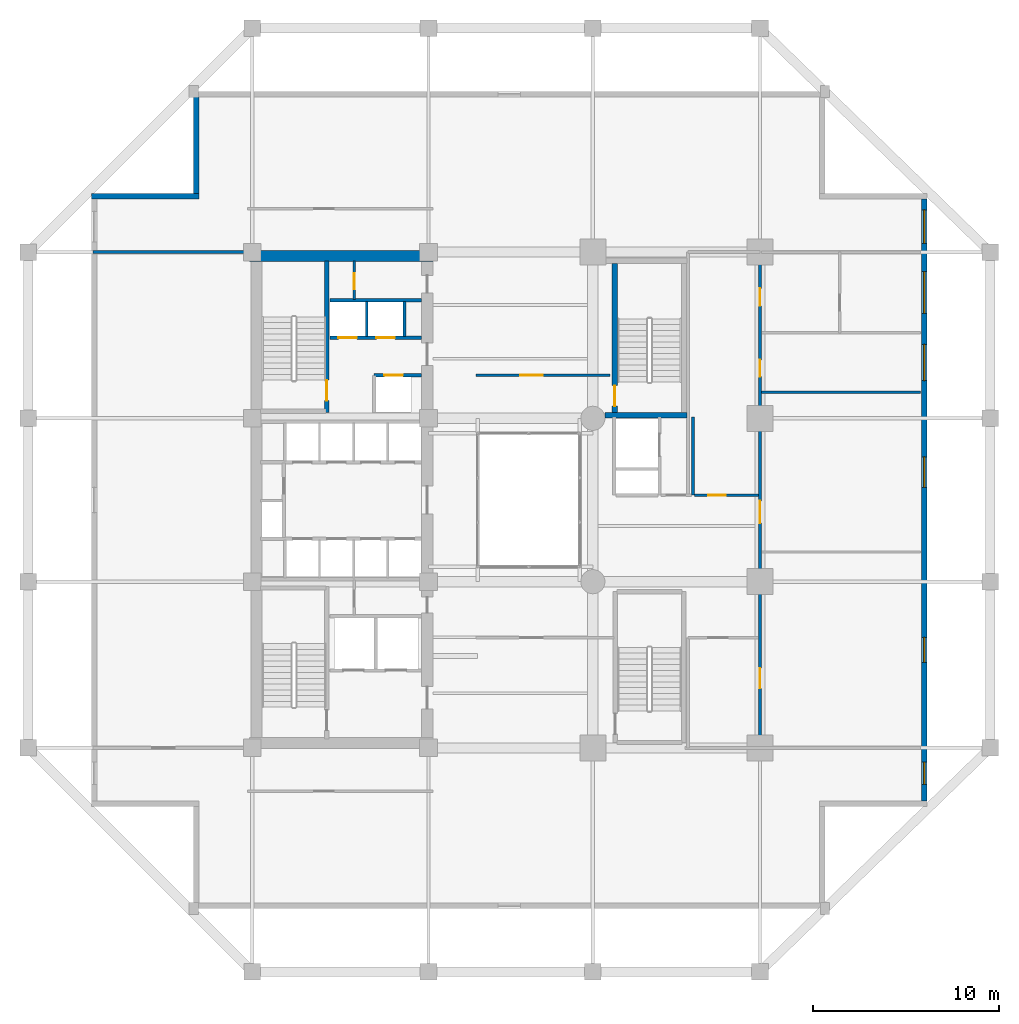
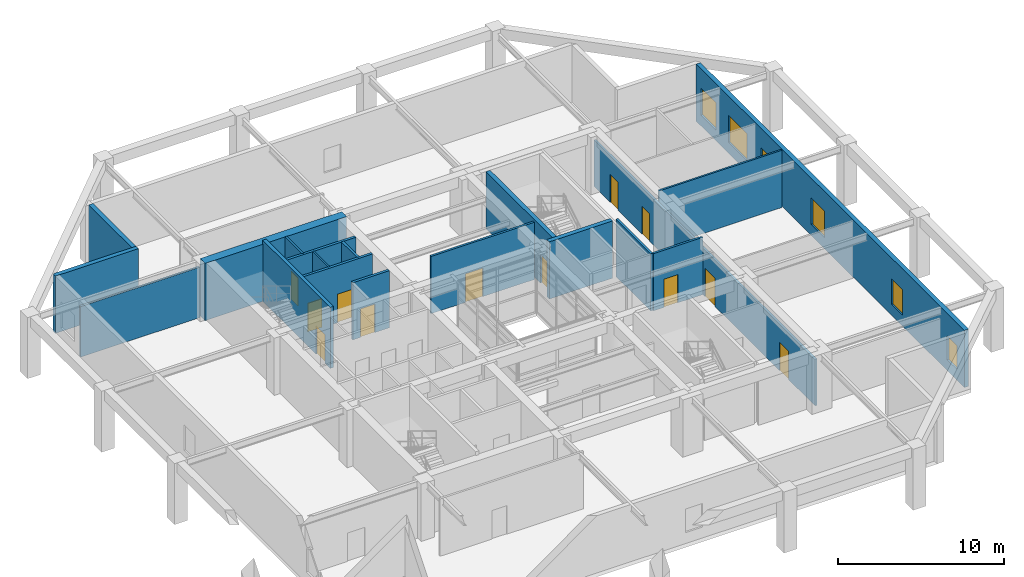
# One storey, part 8 of 10: 19 walls, 12 doors, 6 windows, 18 openings.
"""IFC4 building model written with IfcOpenShell, lengths in metres."""

from ifc_helpers import new_model, si_unit, direction, frame, frame_2d, origin, place, context, subcontext, project, spatial, rectangle, extrude, material, layer, layer_set, type_object, element, fill, save


model = new_model("IFC4")

# Units and contexts
model_context = context("Model", 3, precision=1e-05, world=origin(), true_north=direction((0.0, 1.0)))
body_context = subcontext(model_context, "Body", "Model", "MODEL_VIEW")
ifc_project = project(units=[si_unit("LENGTHUNIT", "METRE"), si_unit("AREAUNIT", "SQUARE_METRE"), si_unit("VOLUMEUNIT", "CUBIC_METRE"), si_unit("PLANEANGLEUNIT", "RADIAN"), si_unit("MASSUNIT", "GRAM", prefix="KILO")], contexts=[model_context])

# Site, building, storey
site_placement = place(None, origin())
site = spatial("IfcSite", under=ifc_project, at=site_placement, CompositionType="ELEMENT")
building_placement = place(site_placement, origin())
building = spatial("IfcBuilding", under=site, at=building_placement, Name="Kundavana Baori Tower", CompositionType="ELEMENT")
storey_placement = place(building_placement, frame((0.0, 0.0, 12.5)))
storey = spatial("IfcBuildingStorey", under=building, at=storey_placement, Name="L02", CompositionType="ELEMENT", Elevation=12.5)

# Wall, opening, door
ifc_material_1 = material(Name="Concrete C50/60", Category="concrete")
ifc_layer_1 = layer(ifc_material_1, 0.39990234375, Name="WL-CORE-400")
ifc_layer_set_1 = layer_set([ifc_layer_1], Name="Concrete C50/60")
wall_type_1 = type_object("IfcWallType", Name="WL-CORE-400", PredefinedType="SHEAR", material=ifc_layer_set_1)
wall_1_placement = place(storey_placement, frame((19.4599609375, 33.300048828125, 0.0), z_axis=(0.0, 0.0, 1.0), x_axis=(0.0, 1.0, 0.0)))
wall_1 = element("IfcWall", 1, at=wall_1_placement, inside=storey, type_object=wall_type_1, Name="WL-L02-ST2-E", PredefinedType="SHEAR", context=body_context, shape_type="SweptSolid", body=[
    extrude(rectangle(XDim=8.179931640625, YDim=0.239990234375, at=frame_2d((4.08984375, 0.0))), origin(), (0.0, 0.0, 1.0), 4.5),
])
opening_1_placement = place(wall_1_placement, frame((0.64990234375, 0.0, 0.0)))
opening_1 = element("IfcOpeningElement", 2, at=opening_1_placement, cuts=wall_1, Name="Opening FD-110", PredefinedType="OPENING", context=body_context, shape_type="SweptSolid", body=[
    extrude(rectangle(XDim=1.10009765625, YDim=2.10009765625, at=frame_2d((0.550048828125, 1.050048828125))), frame((0.0, 0.1298828125, 0.0), z_axis=(0.0, -1.0, 0.0), x_axis=(1.0, 0.0, 0.0)), (0.0, 0.0, 1.0), 0.260009765625),
])
ifc_material_2 = material(Name="Galvanised Steel Fire-Rated Door Leaf", Category="steel")
door_type_1 = type_object("IfcDoorType", Name="DR-FD120-1100", OperationType="NOTDEFINED", PredefinedType="DOOR", material=ifc_material_2)
door_1_placement = place(opening_1_placement, origin())
door_1 = element("IfcDoor", 3, at=door_1_placement, inside=storey, type_object=door_type_1, Name="DR-L02-ST2", OperationType="SINGLE_SWING_RIGHT", OverallHeight=2.10009765625, OverallWidth=1.10009765625, PredefinedType="DOOR", context=body_context, shape_type="SweptSolid", body=[
    extrude(rectangle(XDim=1.10009765625, YDim=2.10009765625, at=frame_2d((0.550048828125, 1.050048828125))), frame((0.0, 0.02490234375, 0.0), z_axis=(0.0, -1.0, 0.0), x_axis=(1.0, 0.0, 0.0)), (0.0, 0.0, 1.0), 0.050048828125),
])
fill(opening_1, door_1)

# Wall
ifc_material_3 = material(Name="Concrete C60/75", Category="concrete")
ifc_layer_2 = layer(ifc_material_3, 0.60009765625, Name="WL-CORE-600")
ifc_layer_set_2 = layer_set([ifc_layer_2], Name="Concrete C60/75")
wall_type_2 = type_object("IfcWallType", Name="WL-CORE-600", PredefinedType="SHEAR", material=ifc_layer_set_2)
wall_2_placement = place(storey_placement, frame((15.300048828125, 41.739990234375, 0.0), z_axis=(0.0, 0.0, 1.0), x_axis=(1.0, 0.0, 0.0)))
element("IfcWall", 4, at=wall_2_placement, inside=storey, type_object=wall_type_2, Name="L02 Offset Core North Shear Wall", PredefinedType="SHEAR", context=body_context, shape_type="SweptSolid", body=[
    extrude(rectangle(XDim=9.8798828125, YDim=0.60009765625, at=frame_2d((4.93994140625, 0.0))), origin(), (0.0, 0.0, 1.0), 4.219970703125),
])

# Wall, openings, windows
ifc_material_4 = material(Name="Red-Buff Dholpur Sandstone Cladding on Concrete C40/50", Category="masonry")
ifc_layer_3 = layer(ifc_material_4, 0.300048828125, Name="WL-EXT-SAND-300")
ifc_layer_set_3 = layer_set([ifc_layer_3], Name="Red-Buff Dholpur Sandstone Cladding on Concrete C40/50")
wall_type_3 = type_object("IfcWallType", Name="WL-EXT-SAND-300", PredefinedType="STANDARD", material=ifc_layer_set_3)
wall_3_placement = place(storey_placement, frame((51.64990234375, 12.39990234375, 0.0), z_axis=(0.0, 0.0, 1.0), x_axis=(0.0, 1.0, 0.0)))
wall_3 = element("IfcWall", 5, at=wall_3_placement, inside=storey, type_object=wall_type_3, Name="L02 Exterior Insulated Facade Wall 04", PredefinedType="STANDARD", context=body_context, shape_type="SweptSolid", body=[
    extrude(rectangle(XDim=32.400146484375, YDim=0.300048828125, at=frame_2d((16.2001953125, 0.0))), origin(), (0.0, 0.0, 1.0), 4.219970703125),
])
opening_2_placement = place(wall_3_placement, frame((0.8798828125, 0.0, 0.800048828125)))
opening_2 = element("IfcOpeningElement", 6, at=opening_2_placement, cuts=wall_3, Name="Opening W-03", PredefinedType="OPENING", context=body_context, shape_type="SweptSolid", body=[
    extrude(rectangle(XDim=1.199951171875, YDim=1.75, at=frame_2d((0.60009765625, 0.875))), frame((0.0, 0.16015625, 0.0), z_axis=(0.0, -1.0, 0.0), x_axis=(1.0, 0.0, 0.0)), (0.0, 0.0, 1.0), 0.320068359375),
])
opening_3_placement = place(wall_3_placement, frame((7.449951171875, 0.0, 0.800048828125)))
opening_3 = element("IfcOpeningElement", 7, at=opening_3_placement, cuts=wall_3, Name="Opening W-07", PredefinedType="OPENING", context=body_context, shape_type="SweptSolid", body=[
    extrude(rectangle(XDim=1.35009765625, YDim=1.89990234375, at=frame_2d((0.675048828125, 0.949951171875))), frame((0.0, 0.16015625, 0.0), z_axis=(0.0, -1.0, 0.0), x_axis=(1.0, 0.0, 0.0)), (0.0, 0.0, 1.0), 0.320068359375),
])
opening_4_placement = place(wall_3_placement, frame((16.875, 0.0, 0.800048828125)))
opening_4 = element("IfcOpeningElement", 8, at=opening_4_placement, cuts=wall_3, Name="Opening W-08", PredefinedType="OPENING", context=body_context, shape_type="SweptSolid", body=[
    extrude(rectangle(XDim=1.64990234375, YDim=1.949951171875, at=frame_2d((0.824951171875, 0.97509765625))), frame((0.0, 0.16015625, 0.0), z_axis=(0.0, -1.0, 0.0), x_axis=(1.0, 0.0, 0.0)), (0.0, 0.0, 1.0), 0.320068359375),
])
opening_5_placement = place(wall_3_placement, frame((22.625, 0.0, 0.800048828125)))
opening_5 = element("IfcOpeningElement", 9, at=opening_5_placement, cuts=wall_3, Name="Opening W-09", PredefinedType="OPENING", context=body_context, shape_type="SweptSolid", body=[
    extrude(rectangle(XDim=1.949951171875, YDim=2.0, at=frame_2d((0.97509765625, 1.0))), frame((0.0, 0.16015625, 0.0), z_axis=(0.0, -1.0, 0.0), x_axis=(1.0, 0.0, 0.0)), (0.0, 0.0, 1.0), 0.320068359375),
])
opening_6_placement = place(wall_3_placement, frame((26.25, 0.0, 0.800048828125)))
opening_6 = element("IfcOpeningElement", 10, at=opening_6_placement, cuts=wall_3, Name="Opening W-10", PredefinedType="OPENING", context=body_context, shape_type="SweptSolid", body=[
    extrude(rectangle(XDim=2.25, YDim=2.0, at=frame_2d((1.125, 1.0))), frame((0.0, 0.16015625, 0.0), z_axis=(0.0, -1.0, 0.0), x_axis=(1.0, 0.0, 0.0)), (0.0, 0.0, 1.0), 0.320068359375),
])
opening_7_placement = place(wall_3_placement, frame((30.02001953125, 0.0, 0.800048828125)))
opening_7 = element("IfcOpeningElement", 11, at=opening_7_placement, cuts=wall_3, Name="Opening W-01", PredefinedType="OPENING", context=body_context, shape_type="SweptSolid", body=[
    extrude(rectangle(XDim=1.800048828125, YDim=2.0, at=frame_2d((0.89990234375, 1.0))), frame((0.0, 0.16015625, 0.0), z_axis=(0.0, -1.0, 0.0), x_axis=(1.0, 0.0, 0.0)), (0.0, 0.0, 1.0), 0.320068359375),
])
ifc_material_5 = material(Name="Double-Glazed Solar-Control Low-E Insulated Glass", Category="glass")
window_type_1 = type_object("IfcWindowType", Name="WIN-LOG-1200x1750", PartitioningType="SINGLE_PANEL", PredefinedType="WINDOW", material=ifc_material_5)
window_1_placement = place(opening_2_placement, origin())
window_1 = element("IfcWindow", 12, at=window_1_placement, inside=storey, type_object=window_type_1, Name="L02 Recessed Loggia Window E-1", OverallHeight=1.75, OverallWidth=1.199951171875, PartitioningType="SINGLE_PANEL", PredefinedType="WINDOW", context=body_context, shape_type="SweptSolid", body=[
    extrude(rectangle(XDim=1.199951171875, YDim=1.75, at=frame_2d((0.60009765625, 0.875))), frame((0.0, 0.030029296875, 0.0), z_axis=(0.0, -1.0, 0.0), x_axis=(1.0, 0.0, 0.0)), (0.0, 0.0, 1.0), 0.06005859375),
])
fill(opening_2, window_1)
ifc_material_6 = material(Name="Double-Glazed Solar-Control Low-E Insulated Glass", Category="glass")
window_type_2 = type_object("IfcWindowType", Name="WIN-LOG-1350x1900", PartitioningType="SINGLE_PANEL", PredefinedType="WINDOW", material=ifc_material_6)
window_2_placement = place(opening_3_placement, origin())
window_2 = element("IfcWindow", 13, at=window_2_placement, inside=storey, type_object=window_type_2, Name="L02 Recessed Loggia Window E-2", OverallHeight=1.89990234375, OverallWidth=1.35009765625, PartitioningType="SINGLE_PANEL", PredefinedType="WINDOW", context=body_context, shape_type="SweptSolid", body=[
    extrude(rectangle(XDim=1.35009765625, YDim=1.89990234375, at=frame_2d((0.675048828125, 0.949951171875))), frame((0.0, 0.030029296875, 0.0), z_axis=(0.0, -1.0, 0.0), x_axis=(1.0, 0.0, 0.0)), (0.0, 0.0, 1.0), 0.06005859375),
])
fill(opening_3, window_2)
ifc_material_7 = material(Name="Double-Glazed Solar-Control Low-E Insulated Glass", Category="glass")
window_type_3 = type_object("IfcWindowType", Name="WIN-LOG-1650x1950", PartitioningType="SINGLE_PANEL", PredefinedType="WINDOW", material=ifc_material_7)
window_3_placement = place(opening_4_placement, origin())
window_3 = element("IfcWindow", 14, at=window_3_placement, inside=storey, type_object=window_type_3, Name="L02 Recessed Loggia Window E-3", OverallHeight=1.949951171875, OverallWidth=1.64990234375, PartitioningType="SINGLE_PANEL", PredefinedType="WINDOW", context=body_context, shape_type="SweptSolid", body=[
    extrude(rectangle(XDim=1.64990234375, YDim=1.949951171875, at=frame_2d((0.824951171875, 0.97509765625))), frame((0.0, 0.030029296875, 0.0), z_axis=(0.0, -1.0, 0.0), x_axis=(1.0, 0.0, 0.0)), (0.0, 0.0, 1.0), 0.06005859375),
])
fill(opening_4, window_3)
ifc_material_8 = material(Name="Double-Glazed Solar-Control Low-E Insulated Glass", Category="glass")
window_type_4 = type_object("IfcWindowType", Name="WIN-LOG-1800x2000", PartitioningType="SINGLE_PANEL", PredefinedType="WINDOW", material=ifc_material_8)
window_4_placement = place(opening_7_placement, origin())
window_4 = element("IfcWindow", 15, at=window_4_placement, inside=storey, type_object=window_type_4, Name="L02 Recessed Loggia Window E-6", OverallHeight=2.0, OverallWidth=1.800048828125, PartitioningType="SINGLE_PANEL", PredefinedType="WINDOW", context=body_context, shape_type="SweptSolid", body=[
    extrude(rectangle(XDim=1.800048828125, YDim=2.0, at=frame_2d((0.89990234375, 1.0))), frame((0.0, 0.030029296875, 0.0), z_axis=(0.0, -1.0, 0.0), x_axis=(1.0, 0.0, 0.0)), (0.0, 0.0, 1.0), 0.06005859375),
])
fill(opening_7, window_4)
ifc_material_9 = material(Name="Double-Glazed Solar-Control Low-E Insulated Glass", Category="glass")
window_type_5 = type_object("IfcWindowType", Name="WIN-LOG-1950x2000", PartitioningType="SINGLE_PANEL", PredefinedType="WINDOW", material=ifc_material_9)
window_5_placement = place(opening_5_placement, origin())
window_5 = element("IfcWindow", 16, at=window_5_placement, inside=storey, type_object=window_type_5, Name="L02 Recessed Loggia Window E-4", OverallHeight=2.0, OverallWidth=1.949951171875, PartitioningType="SINGLE_PANEL", PredefinedType="WINDOW", context=body_context, shape_type="SweptSolid", body=[
    extrude(rectangle(XDim=1.949951171875, YDim=2.0, at=frame_2d((0.97509765625, 1.0))), frame((0.0, 0.030029296875, 0.0), z_axis=(0.0, -1.0, 0.0), x_axis=(1.0, 0.0, 0.0)), (0.0, 0.0, 1.0), 0.06005859375),
])
fill(opening_5, window_5)
ifc_material_10 = material(Name="Double-Glazed Solar-Control Low-E Insulated Glass", Category="glass")
window_type_6 = type_object("IfcWindowType", Name="WIN-LOG-2250x2000", PartitioningType="SINGLE_PANEL", PredefinedType="WINDOW", material=ifc_material_10)
window_6_placement = place(opening_6_placement, origin())
window_6 = element("IfcWindow", 17, at=window_6_placement, inside=storey, type_object=window_type_6, Name="L02 Recessed Loggia Window E-5", OverallHeight=2.0, OverallWidth=2.25, PartitioningType="SINGLE_PANEL", PredefinedType="WINDOW", context=body_context, shape_type="SweptSolid", body=[
    extrude(rectangle(XDim=2.25, YDim=2.0, at=frame_2d((1.125, 1.0))), frame((0.0, 0.030029296875, 0.0), z_axis=(0.0, -1.0, 0.0), x_axis=(1.0, 0.0, 0.0)), (0.0, 0.0, 1.0), 0.06005859375),
])
fill(opening_6, window_6)

# Walls
wall_4_placement = place(storey_placement, frame((12.449951171875, 50.300048828125, 0.0), z_axis=(0.0, 0.0, 1.0), x_axis=(0.0, -1.0, 0.0)))
element("IfcWall", 18, at=wall_4_placement, inside=storey, type_object=wall_type_3, Name="L02 Exterior Insulated Facade Wall 08", PredefinedType="STANDARD", context=body_context, shape_type="SweptSolid", body=[
    extrude(rectangle(XDim=5.199951171875, YDim=0.300048828125, at=frame_2d((2.60009765625, 0.0))), origin(), (0.0, 0.0, 1.0), 4.219970703125),
])
wall_5_placement = place(storey_placement, frame((12.60009765625, 44.949951171875, 0.0), z_axis=(0.0, 0.0, 1.0), x_axis=(-1.0, 0.0, 0.0)))
element("IfcWall", 19, at=wall_5_placement, inside=storey, type_object=wall_type_3, Name="L02 Exterior Insulated Facade Wall 09", PredefinedType="STANDARD", context=body_context, shape_type="SweptSolid", body=[
    extrude(rectangle(XDim=5.800048828125, YDim=0.300048828125, at=frame_2d((2.89990234375, 0.0))), origin(), (0.0, 0.0, 1.0), 4.219970703125),
])
ifc_material_11 = material(Name="Acoustic Gypsum Plasterboard on Galvanised Steel Studs", Category="steel")
ifc_layer_4 = layer(ifc_material_11, 0.1201171875, Name="WL-PART-120")
ifc_layer_set_4 = layer_set([ifc_layer_4], Name="Acoustic Gypsum Plasterboard on Galvanised Steel Studs")
wall_type_4 = type_object("IfcWallType", Name="WL-PART-120", PredefinedType="PARTITIONING", material=ifc_layer_set_4)
wall_6_placement = place(storey_placement, frame((21.6201171875, 37.39990234375, 0.0), z_axis=(0.0, 0.0, 1.0), x_axis=(0.0, 1.0, 0.0)))
element("IfcWall", 20, at=wall_6_placement, inside=storey, type_object=wall_type_4, Name="WL-L02-HR-DIV1", PredefinedType="PARTITIONING", context=body_context, shape_type="SweptSolid", body=[
    extrude(rectangle(XDim=1.900146484375, YDim=0.1201171875, at=frame_2d((0.9501953125, 0.0))), origin(), (0.0, 0.0, 1.0), 4.219970703125),
])

# Wall, opening, door
wall_7_placement = place(storey_placement, frame((20.949951171875, 39.39990234375, 0.0), z_axis=(0.0, 0.0, 1.0), x_axis=(0.0, 1.0, 0.0)))
wall_7 = element("IfcWall", 21, at=wall_7_placement, inside=storey, type_object=wall_type_4, Name="WL-L02-CSRV-D2", PredefinedType="PARTITIONING", context=body_context, shape_type="SweptSolid", body=[
    extrude(rectangle(XDim=2.080078125, YDim=0.1201171875, at=frame_2d((1.0400390625, 0.0))), origin(), (0.0, 0.0, 1.0), 4.219970703125),
])
opening_8_placement = place(wall_7_placement, frame((0.550048828125, 0.0, 0.0)))
opening_8 = element("IfcOpeningElement", 22, at=opening_8_placement, cuts=wall_7, Name="Opening FD-085", PredefinedType="OPENING", context=body_context, shape_type="SweptSolid", body=[
    extrude(rectangle(XDim=0.85009765625, YDim=2.06005859375, at=frame_2d((0.425048828125, 1.030029296875))), frame((0.0, 0.070068359375, 0.0), z_axis=(0.0, -1.0, 0.0), x_axis=(1.0, 0.0, 0.0)), (0.0, 0.0, 1.0), 0.14013671875),
])
ifc_material_12 = material(Name="Galvanised Steel Fire-Rated Door Leaf", Category="steel")
door_type_2 = type_object("IfcDoorType", Name="DR-FD60-850", OperationType="NOTDEFINED", PredefinedType="DOOR", material=ifc_material_12)
door_2_placement = place(opening_8_placement, origin())
door_2 = element("IfcDoor", 23, at=door_2_placement, inside=storey, type_object=door_type_2, Name="DR-L02-CSRV1", OperationType="SINGLE_SWING_RIGHT", OverallHeight=2.06005859375, OverallWidth=0.85009765625, PredefinedType="DOOR", context=body_context, shape_type="SweptSolid", body=[
    extrude(rectangle(XDim=0.85009765625, YDim=2.06005859375, at=frame_2d((0.425048828125, 1.030029296875))), frame((0.0, 0.02490234375, 0.0), z_axis=(0.0, -1.0, 0.0), x_axis=(1.0, 0.0, 0.0)), (0.0, 0.0, 1.0), 0.050048828125),
])
fill(opening_8, door_2)

# Walls
ifc_material_13 = material(Name="Fire-Rated Gypsum Drywall on Galvanised Steel Studs", Category="steel")
ifc_layer_5 = layer(ifc_material_13, 0.14990234375, Name="WL-PART-150")
ifc_layer_set_5 = layer_set([ifc_layer_5], Name="Fire-Rated Gypsum Drywall on Galvanised Steel Studs")
wall_type_5 = type_object("IfcWallType", Name="WL-PART-150", PredefinedType="PARTITIONING", material=ifc_layer_set_5)
wall_8_placement = place(storey_placement, frame((39.199951171875, 28.860107421875, 0.0), z_axis=(0.0, 0.0, 1.0), x_axis=(0.0, 1.0, 0.0)))
element("IfcWall", 24, at=wall_8_placement, inside=storey, type_object=wall_type_5, Name="WL-L02-SVLOB-E", PredefinedType="PARTITIONING", context=body_context, shape_type="SweptSolid", body=[
    extrude(rectangle(XDim=4.219970703125, YDim=0.14990234375, at=frame_2d((2.10986328125, 0.0))), origin(), (0.0, 0.0, 1.0), 4.219970703125),
])
wall_9_placement = place(storey_placement, frame((6.8798828125, 41.949951171875, 0.0), z_axis=(0.0, 0.0, 1.0), x_axis=(1.0, 0.0, 0.0)))
element("IfcWall", 25, at=wall_9_placement, inside=storey, type_object=wall_type_5, Name="WL-L02-PW-N", PredefinedType="PARTITIONING", context=body_context, shape_type="SweptSolid", body=[
    extrude(rectangle(XDim=8.320068359375, YDim=0.14990234375, at=frame_2d((4.16015625, 0.0))), origin(), (0.0, 0.0, 1.0), 3.719970703125),
])

# Wall, opening, door
wall_10_placement = place(storey_placement, frame((27.5, 35.320068359375, 0.0), z_axis=(0.0, 0.0, 1.0), x_axis=(1.0, 0.0, 0.0)))
wall_10 = element("IfcWall", 26, at=wall_10_placement, inside=storey, type_object=wall_type_5, Name="WL-L02-PODN", PredefinedType="PARTITIONING", context=body_context, shape_type="SweptSolid", body=[
    extrude(rectangle(XDim=7.219970703125, YDim=0.14990234375, at=frame_2d((3.60986328125, 0.0))), origin(), (0.0, 0.0, 1.0), 4.219970703125),
])
opening_9_placement = place(wall_10_placement, frame((2.39990234375, 0.0, 0.0)))
opening_9 = element("IfcOpeningElement", 27, at=opening_9_placement, cuts=wall_10, Name="Opening ID-120", PredefinedType="OPENING", context=body_context, shape_type="SweptSolid", body=[
    extrude(rectangle(XDim=1.199951171875, YDim=2.10009765625, at=frame_2d((0.60009765625, 1.050048828125))), frame((0.0, 0.0849609375, 0.0), z_axis=(0.0, -1.0, 0.0), x_axis=(1.0, 0.0, 0.0)), (0.0, 0.0, 1.0), 0.169921875),
])
ifc_material_14 = material(Name="Engineered Teak Solid-Core Timber Veneer", Category="wood")
door_type_3 = type_object("IfcDoorType", Name="DR-INT-1200", OperationType="NOTDEFINED", PredefinedType="DOOR", material=ifc_material_14)
door_3_placement = place(opening_9_placement, origin())
door_3 = element("IfcDoor", 28, at=door_3_placement, inside=storey, type_object=door_type_3, Name="DR-L02-GALN", OperationType="SINGLE_SWING_RIGHT", OverallHeight=2.10009765625, OverallWidth=1.199951171875, PredefinedType="DOOR", context=body_context, shape_type="SweptSolid", body=[
    extrude(rectangle(XDim=1.199951171875, YDim=2.10009765625, at=frame_2d((0.60009765625, 1.050048828125))), frame((0.0, 0.02490234375, 0.0), z_axis=(0.0, -1.0, 0.0), x_axis=(1.0, 0.0, 0.0)), (0.0, 0.0, 1.0), 0.050048828125),
])
fill(opening_9, door_3)

# Wall, openings, doors
wall_11_placement = place(storey_placement, frame((42.800048828125, 15.25, 0.0), z_axis=(0.0, 0.0, 1.0), x_axis=(0.0, 1.0, 0.0)))
wall_11 = element("IfcWall", 29, at=wall_11_placement, inside=storey, type_object=wall_type_5, Name="WL-L02-PODE", PredefinedType="PARTITIONING", context=body_context, shape_type="SweptSolid", body=[
    extrude(rectangle(XDim=26.699951171875, YDim=0.14990234375, at=frame_2d((13.35009765625, 0.0))), origin(), (0.0, 0.0, 1.0), 3.419921875),
])
opening_10_placement = place(wall_11_placement, frame((3.199951171875, 0.0, 0.0)))
opening_10 = element("IfcOpeningElement", 30, at=opening_10_placement, cuts=wall_11, Name="Opening ID-110", PredefinedType="OPENING", context=body_context, shape_type="SweptSolid", body=[
    extrude(rectangle(XDim=1.10009765625, YDim=2.080078125, at=frame_2d((0.550048828125, 1.0400390625))), frame((0.0, 0.0849609375, 0.0), z_axis=(0.0, -1.0, 0.0), x_axis=(1.0, 0.0, 0.0)), (0.0, 0.0, 1.0), 0.169921875),
])
opening_11_placement = place(wall_11_placement, frame((12.10009765625, 0.0, 0.0)))
opening_11 = element("IfcOpeningElement", 31, at=opening_11_placement, cuts=wall_11, Name="Opening ID-120", PredefinedType="OPENING", context=body_context, shape_type="SweptSolid", body=[
    extrude(rectangle(XDim=1.199951171875, YDim=2.10009765625, at=frame_2d((0.60009765625, 1.050048828125))), frame((0.0, 0.0849609375, 0.0), z_axis=(0.0, -1.0, 0.0), x_axis=(1.0, 0.0, 0.0)), (0.0, 0.0, 1.0), 0.169921875),
])
opening_12_placement = place(wall_11_placement, frame((20.0, 0.0, 0.0)))
opening_12 = element("IfcOpeningElement", 32, at=opening_12_placement, cuts=wall_11, Name="Opening WD-090", PredefinedType="OPENING", context=body_context, shape_type="SweptSolid", body=[
    extrude(rectangle(XDim=0.89990234375, YDim=2.050048828125, at=frame_2d((0.449951171875, 1.02490234375))), frame((0.0, 0.0849609375, 0.0), z_axis=(0.0, -1.0, 0.0), x_axis=(1.0, 0.0, 0.0)), (0.0, 0.0, 1.0), 0.169921875),
])
opening_13_placement = place(wall_11_placement, frame((23.800048828125, 0.0, 0.0)))
opening_13 = element("IfcOpeningElement", 33, at=opening_13_placement, cuts=wall_11, Name="Opening WD-095", PredefinedType="OPENING", context=body_context, shape_type="SweptSolid", body=[
    extrude(rectangle(XDim=0.949951171875, YDim=2.050048828125, at=frame_2d((0.47509765625, 1.02490234375))), frame((0.0, 0.0849609375, 0.0), z_axis=(0.0, -1.0, 0.0), x_axis=(1.0, 0.0, 0.0)), (0.0, 0.0, 1.0), 0.169921875),
])
ifc_material_15 = material(Name="Engineered Teak Solid-Core Timber Veneer", Category="wood")
door_type_4 = type_object("IfcDoorType", Name="DR-INT-1100", OperationType="NOTDEFINED", PredefinedType="DOOR", material=ifc_material_15)
door_4_placement = place(opening_10_placement, origin())
door_4 = element("IfcDoor", 34, at=door_4_placement, inside=storey, type_object=door_type_4, Name="DR-L02-RETE1", OperationType="SINGLE_SWING_LEFT", OverallHeight=2.080078125, OverallWidth=1.10009765625, PredefinedType="DOOR", context=body_context, shape_type="SweptSolid", body=[
    extrude(rectangle(XDim=1.10009765625, YDim=2.080078125, at=frame_2d((0.550048828125, 1.0400390625))), frame((0.0, 0.02490234375, 0.0), z_axis=(0.0, -1.0, 0.0), x_axis=(1.0, 0.0, 0.0)), (0.0, 0.0, 1.0), 0.050048828125),
])
fill(opening_10, door_4)
door_5_placement = place(opening_11_placement, origin())
door_5 = element("IfcDoor", 35, at=door_5_placement, inside=storey, type_object=door_type_3, Name="DR-L02-DINE", OperationType="SINGLE_SWING_RIGHT", OverallHeight=2.10009765625, OverallWidth=1.199951171875, PredefinedType="DOOR", context=body_context, shape_type="SweptSolid", body=[
    extrude(rectangle(XDim=1.199951171875, YDim=2.10009765625, at=frame_2d((0.60009765625, 1.050048828125))), frame((0.0, 0.02490234375, 0.0), z_axis=(0.0, -1.0, 0.0), x_axis=(1.0, 0.0, 0.0)), (0.0, 0.0, 1.0), 0.050048828125),
])
fill(opening_11, door_5)
ifc_material_16 = material(Name="Engineered Teak Solid-Core Timber Veneer", Category="wood")
door_type_5 = type_object("IfcDoorType", Name="DR-WET-900", OperationType="NOTDEFINED", PredefinedType="DOOR", material=ifc_material_16)
door_6_placement = place(opening_12_placement, origin())
door_6 = element("IfcDoor", 36, at=door_6_placement, inside=storey, type_object=door_type_5, Name="DR-L02-WCP", OperationType="SINGLE_SWING_LEFT", OverallHeight=2.050048828125, OverallWidth=0.89990234375, PredefinedType="DOOR", context=body_context, shape_type="SweptSolid", body=[
    extrude(rectangle(XDim=0.89990234375, YDim=2.050048828125, at=frame_2d((0.449951171875, 1.02490234375))), frame((0.0, 0.02490234375, 0.0), z_axis=(0.0, -1.0, 0.0), x_axis=(1.0, 0.0, 0.0)), (0.0, 0.0, 1.0), 0.050048828125),
])
fill(opening_12, door_6)
ifc_material_17 = material(Name="Engineered Teak Solid-Core Timber Veneer", Category="wood")
door_type_6 = type_object("IfcDoorType", Name="DR-WET-950", OperationType="NOTDEFINED", PredefinedType="DOOR", material=ifc_material_17)
door_7_placement = place(opening_13_placement, origin())
door_7 = element("IfcDoor", 37, at=door_7_placement, inside=storey, type_object=door_type_6, Name="DR-L02-WCA", OperationType="SINGLE_SWING_RIGHT", OverallHeight=2.050048828125, OverallWidth=0.949951171875, PredefinedType="DOOR", context=body_context, shape_type="SweptSolid", body=[
    extrude(rectangle(XDim=0.949951171875, YDim=2.050048828125, at=frame_2d((0.47509765625, 1.02490234375))), frame((0.0, 0.02490234375, 0.0), z_axis=(0.0, -1.0, 0.0), x_axis=(1.0, 0.0, 0.0)), (0.0, 0.0, 1.0), 0.050048828125),
])
fill(opening_13, door_7)

# Wall, opening, door
wall_12_placement = place(storey_placement, frame((39.280029296875, 28.860107421875, 0.0), z_axis=(0.0, 0.0, 1.0), x_axis=(1.0, 0.0, 0.0)))
wall_12 = element("IfcWall", 38, at=wall_12_placement, inside=storey, type_object=wall_type_5, Name="WL-L02-PEATS", PredefinedType="PARTITIONING", context=body_context, shape_type="SweptSolid", body=[
    extrude(rectangle(XDim=3.43994140625, YDim=0.14990234375, at=frame_2d((1.719970703125, 0.0))), origin(), (0.0, 0.0, 1.0), 4.219970703125),
])
opening_14_placement = place(wall_12_placement, frame((0.739990234375, 0.0, 0.0)))
opening_14 = element("IfcOpeningElement", 39, at=opening_14_placement, cuts=wall_12, Name="Opening ID-095", PredefinedType="OPENING", context=body_context, shape_type="SweptSolid", body=[
    extrude(rectangle(XDim=0.949951171875, YDim=2.080078125, at=frame_2d((0.47509765625, 1.0400390625))), frame((0.0, 0.0849609375, 0.0), z_axis=(0.0, -1.0, 0.0), x_axis=(1.0, 0.0, 0.0)), (0.0, 0.0, 1.0), 0.169921875),
])
ifc_material_18 = material(Name="Engineered Teak Solid-Core Timber Veneer", Category="wood")
door_type_7 = type_object("IfcDoorType", Name="DR-INT-950", OperationType="NOTDEFINED", PredefinedType="DOOR", material=ifc_material_18)
door_8_placement = place(opening_14_placement, frame((0.949951171875, 0.0, 0.0), z_axis=(0.0, 0.0, 1.0), x_axis=(-1.0, 0.0, 0.0)))
door_8 = element("IfcDoor", 40, at=door_8_placement, inside=storey, type_object=door_type_7, Name="DR-L02-SLEA", OperationType="SINGLE_SWING_LEFT", OverallHeight=2.080078125, OverallWidth=0.949951171875, PredefinedType="DOOR", context=body_context, shape_type="SweptSolid", body=[
    extrude(rectangle(XDim=0.949951171875, YDim=2.080078125, at=frame_2d((0.47509765625, 1.0400390625))), frame((0.0, 0.02490234375, 0.0), z_axis=(0.0, -1.0, 0.0), x_axis=(1.0, 0.0, 0.0)), (0.0, 0.0, 1.0), 0.050048828125),
])
fill(opening_14, door_8)

ifc_material_19 = material(Name="Autoclaved Aerated Concrete Blockwork Masonry", Category="masonry")
ifc_layer_6 = layer(ifc_material_19, 0.179931640625, Name="WL-SHAFT-180")
ifc_layer_set_6 = layer_set([ifc_layer_6], Name="Autoclaved Aerated Concrete Blockwork Masonry")
wall_type_6 = type_object("IfcWallType", Name="WL-SHAFT-180", PredefinedType="SOLIDWALL", material=ifc_layer_set_6)
wall_13_placement = place(storey_placement, frame((22.02001953125, 35.31005859375, 0.0), z_axis=(0.0, 0.0, 1.0), x_axis=(1.0, 0.0, 0.0)))
wall_13 = element("IfcWall", 41, at=wall_13_placement, inside=storey, type_object=wall_type_6, Name="WL-L02-LP11-N", PredefinedType="SOLIDWALL", context=body_context, shape_type="SweptSolid", body=[
    extrude(rectangle(XDim=2.56005859375, YDim=0.179931640625, at=frame_2d((1.280029296875, 0.0))), origin(), (0.0, 0.0, 1.0), 4.219970703125),
])
opening_15_placement = place(wall_13_placement, frame((0.550048828125, 0.0, 0.0)))
opening_15 = element("IfcOpeningElement", 42, at=opening_15_placement, cuts=wall_13, Name="Opening LD-100", PredefinedType="OPENING", context=body_context, shape_type="SweptSolid", body=[
    extrude(rectangle(XDim=1.0, YDim=2.10009765625, at=frame_2d((0.5, 1.050048828125))), frame((0.0, 0.10009765625, 0.0), z_axis=(0.0, -1.0, 0.0), x_axis=(1.0, 0.0, 0.0)), (0.0, 0.0, 1.0), 0.199951171875),
])
ifc_material_20 = material(Name="Galvanised Steel Fire-Rated Door Leaf", Category="steel")
door_type_8 = type_object("IfcDoorType", Name="DR-SLIDE-LD1000", OperationType="NOTDEFINED", PredefinedType="DOOR", material=ifc_material_20)
door_9_placement = place(opening_15_placement, origin())
door_9 = element("IfcDoor", 43, at=door_9_placement, inside=storey, type_object=door_type_8, Name="DR-L02-LD-LP11", OperationType="DOUBLE_DOOR_SLIDING", OverallHeight=2.10009765625, OverallWidth=1.0, PredefinedType="DOOR", context=body_context, shape_type="SweptSolid", body=[
    extrude(rectangle(XDim=1.0, YDim=2.10009765625, at=frame_2d((0.5, 1.050048828125))), frame((0.0, 0.02490234375, 0.0), z_axis=(0.0, -1.0, 0.0), x_axis=(1.0, 0.0, 0.0)), (0.0, 0.0, 1.0), 0.050048828125),
])
fill(opening_15, door_9)

# Wall, openings, doors
wall_14_placement = place(storey_placement, frame((19.639892578125, 37.340087890625, 0.0), z_axis=(0.0, 0.0, 1.0), x_axis=(1.0, 0.0, 0.0)))
wall_14 = element("IfcWall", 44, at=wall_14_placement, inside=storey, type_object=wall_type_6, Name="WL-L02-HRLOB-N", PredefinedType="SOLIDWALL", context=body_context, shape_type="SweptSolid", body=[
    extrude(rectangle(XDim=4.940185546875, YDim=0.179931640625, at=frame_2d((2.47021484375, 0.0))), origin(), (0.0, 0.0, 1.0), 4.219970703125),
])
opening_16_placement = place(wall_14_placement, frame((0.449951171875, 0.0, 0.0)))
opening_16 = element("IfcOpeningElement", 45, at=opening_16_placement, cuts=wall_14, Name="Opening LD-100", PredefinedType="OPENING", context=body_context, shape_type="SweptSolid", body=[
    extrude(rectangle(XDim=1.0, YDim=2.10009765625, at=frame_2d((0.5, 1.050048828125))), frame((0.0, 0.10009765625, 0.0), z_axis=(0.0, -1.0, 0.0), x_axis=(1.0, 0.0, 0.0)), (0.0, 0.0, 1.0), 0.199951171875),
])
opening_17_placement = place(wall_14_placement, frame((2.5, 0.0, 0.0)))
opening_17 = element("IfcOpeningElement", 46, at=opening_17_placement, cuts=wall_14, Name="Opening LD-100", PredefinedType="OPENING", context=body_context, shape_type="SweptSolid", body=[
    extrude(rectangle(XDim=1.0, YDim=2.10009765625, at=frame_2d((0.5, 1.050048828125))), frame((0.0, 0.10009765625, 0.0), z_axis=(0.0, -1.0, 0.0), x_axis=(1.0, 0.0, 0.0)), (0.0, 0.0, 1.0), 0.199951171875),
])
door_10_placement = place(opening_16_placement, frame((1.0, 0.0, 0.0), z_axis=(0.0, 0.0, 1.0), x_axis=(-1.0, 0.0, 0.0)))
door_10 = element("IfcDoor", 47, at=door_10_placement, inside=storey, type_object=door_type_8, Name="DR-L02-LD-LP09", OperationType="DOUBLE_DOOR_SLIDING", OverallHeight=2.10009765625, OverallWidth=1.0, PredefinedType="DOOR", context=body_context, shape_type="SweptSolid", body=[
    extrude(rectangle(XDim=1.0, YDim=2.10009765625, at=frame_2d((0.5, 1.050048828125))), frame((0.0, 0.02490234375, 0.0), z_axis=(0.0, -1.0, 0.0), x_axis=(1.0, 0.0, 0.0)), (0.0, 0.0, 1.0), 0.050048828125),
])
fill(opening_16, door_10)
door_11_placement = place(opening_17_placement, frame((1.0, 0.0, 0.0), z_axis=(0.0, 0.0, 1.0), x_axis=(-1.0, 0.0, 0.0)))
door_11 = element("IfcDoor", 48, at=door_11_placement, inside=storey, type_object=door_type_8, Name="DR-L02-LD-LP10", OperationType="DOUBLE_DOOR_SLIDING", OverallHeight=2.10009765625, OverallWidth=1.0, PredefinedType="DOOR", context=body_context, shape_type="SweptSolid", body=[
    extrude(rectangle(XDim=1.0, YDim=2.10009765625, at=frame_2d((0.5, 1.050048828125))), frame((0.0, 0.02490234375, 0.0), z_axis=(0.0, -1.0, 0.0), x_axis=(1.0, 0.0, 0.0)), (0.0, 0.0, 1.0), 0.050048828125),
])
fill(opening_17, door_11)

# Walls
wall_15_placement = place(storey_placement, frame((19.639892578125, 39.360107421875, 0.0), z_axis=(0.0, 0.0, 1.0), x_axis=(1.0, 0.0, 0.0)))
element("IfcWall", 49, at=wall_15_placement, inside=storey, type_object=wall_type_6, Name="WL-L02-HRLOB-TOP", PredefinedType="SOLIDWALL", context=body_context, shape_type="SweptSolid", body=[
    extrude(rectangle(XDim=4.940185546875, YDim=0.179931640625, at=frame_2d((2.47021484375, 0.0))), origin(), (0.0, 0.0, 1.0), 4.219970703125),
])
wall_16_placement = place(storey_placement, frame((23.659912109375, 37.39990234375, 0.0), z_axis=(0.0, 0.0, 1.0), x_axis=(0.0, 1.0, 0.0)))
element("IfcWall", 50, at=wall_16_placement, inside=storey, type_object=wall_type_6, Name="WL-L02-HR-DIV2", PredefinedType="SOLIDWALL", context=body_context, shape_type="SweptSolid", body=[
    extrude(rectangle(XDim=1.900146484375, YDim=0.179931640625, at=frame_2d((0.9501953125, 0.0))), origin(), (0.0, 0.0, 1.0), 4.219970703125),
])
ifc_material_21 = material(Name="Concrete C50/60", Category="concrete")
ifc_layer_7 = layer(ifc_material_21, 0.300048828125, Name="WL-ST3-300")
ifc_layer_set_7 = layer_set([ifc_layer_7], Name="Concrete C50/60")
wall_type_7 = type_object("IfcWallType", Name="WL-ST3-300", PredefinedType="SHEAR", material=ifc_layer_set_7)
wall_17_placement = place(storey_placement, frame((34.449951171875, 33.159912109375, 0.0), z_axis=(0.0, 0.0, 1.0), x_axis=(1.0, 0.0, 0.0)))
element("IfcWall", 51, at=wall_17_placement, inside=storey, type_object=wall_type_7, Name="L02 Stair ST3 South Shear Wall", PredefinedType="SHEAR", context=body_context, shape_type="SweptSolid", body=[
    extrude(rectangle(XDim=4.420166015625, YDim=0.300048828125, at=frame_2d((2.2099609375, 0.0))), origin(), (0.0, 0.0, 1.0), 4.219970703125),
])

# Wall, opening, door
wall_18_placement = place(storey_placement, frame((34.97998046875, 33.31005859375, 0.0), z_axis=(0.0, 0.0, 1.0), x_axis=(0.0, 1.0, 0.0)))
wall_18 = element("IfcWall", 52, at=wall_18_placement, inside=storey, type_object=wall_type_7, Name="L02 Stair ST3 West Shear Wall", PredefinedType="SHEAR", context=body_context, shape_type="SweptSolid", body=[
    extrude(rectangle(XDim=8.030029296875, YDim=0.300048828125, at=frame_2d((4.01513671875, 0.0))), origin(), (0.0, 0.0, 1.0), 4.219970703125),
])
opening_18_placement = place(wall_18_placement, frame((0.35009765625, 0.0, 0.0)))
opening_18 = element("IfcOpeningElement", 53, at=opening_18_placement, cuts=wall_18, Name="Opening FD-110", PredefinedType="OPENING", context=body_context, shape_type="SweptSolid", body=[
    extrude(rectangle(XDim=1.10009765625, YDim=2.10009765625, at=frame_2d((0.550048828125, 1.050048828125))), frame((0.0, 0.16015625, 0.0), z_axis=(0.0, -1.0, 0.0), x_axis=(1.0, 0.0, 0.0)), (0.0, 0.0, 1.0), 0.320068359375),
])
door_12_placement = place(opening_18_placement, origin())
door_12 = element("IfcDoor", 54, at=door_12_placement, inside=storey, type_object=door_type_1, Name="DR-L02-ST3-W", OperationType="SINGLE_SWING_LEFT", OverallHeight=2.10009765625, OverallWidth=1.10009765625, PredefinedType="DOOR", context=body_context, shape_type="SweptSolid", body=[
    extrude(rectangle(XDim=1.10009765625, YDim=2.10009765625, at=frame_2d((0.550048828125, 1.050048828125))), frame((0.0, 0.02490234375, 0.0), z_axis=(0.0, -1.0, 0.0), x_axis=(1.0, 0.0, 0.0)), (0.0, 0.0, 1.0), 0.050048828125),
])
fill(opening_18, door_12)

# Wall
ifc_material_22 = material(Name="Autoclaved Aerated Concrete Blockwork Masonry", Category="masonry")
ifc_layer_8 = layer(ifc_material_22, 0.125, Name="WL-WET-120")
ifc_layer_set_8 = layer_set([ifc_layer_8], Name="Autoclaved Aerated Concrete Blockwork Masonry")
wall_type_8 = type_object("IfcWallType", Name="WL-WET-120", PredefinedType="PLUMBINGWALL", material=ifc_layer_set_8)
wall_19_placement = place(storey_placement, frame((42.8798828125, 34.39990234375, 0.0), z_axis=(0.0, 0.0, 1.0), x_axis=(1.0, 0.0, 0.0)))
element("IfcWall", 55, at=wall_19_placement, inside=storey, type_object=wall_type_8, Name="WL-L02-ED2", PredefinedType="PLUMBINGWALL", context=body_context, shape_type="SweptSolid", body=[
    extrude(rectangle(XDim=8.570068359375, YDim=0.125, at=frame_2d((4.28515625, 0.0))), origin(), (0.0, 0.0, 1.0), 4.219970703125),
])

save(model, "model.ifc")
